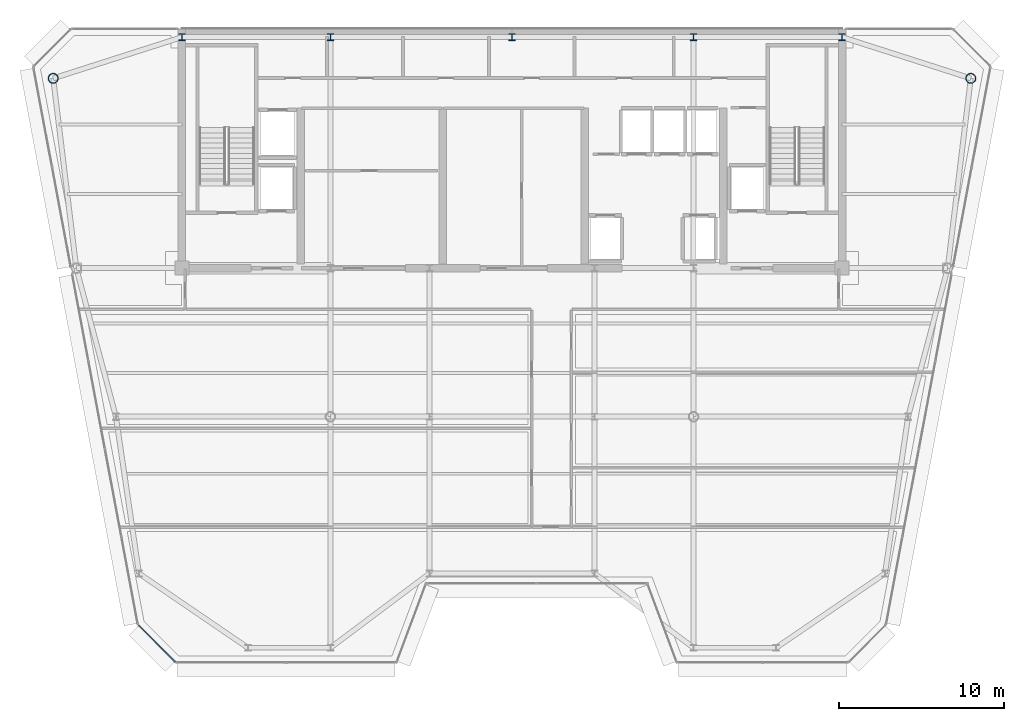
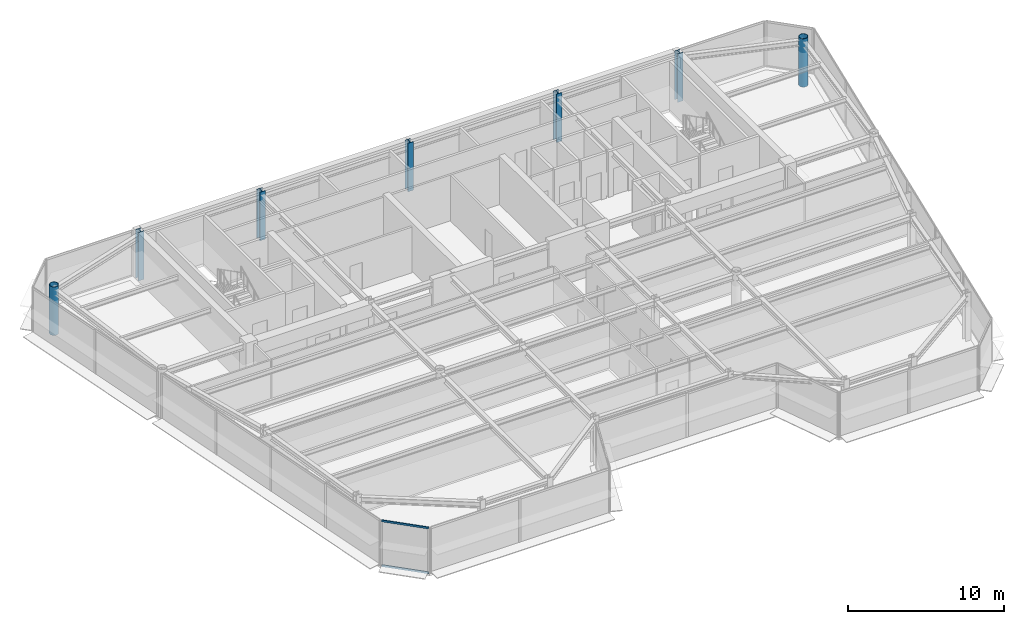
# One storey, part 2 of 20: 7 columns, 2 members, 1 element without a shape of its own.
"""IFC4 building model written with IfcOpenShell, lengths in metres."""

from ifc_helpers import new_model, si_unit, direction, frame, origin, origin_2d, place, context, subcontext, project, spatial, rectangle, hollow_circle, i_section, extrude, source, transform, mapped, material, layer, layer_set, material_profile, profile_set, type_object, element, aggregate, save


model = new_model("IFC4")

# Units and contexts
model_context = context("Model", 3, precision=1e-05, world=origin(), true_north=direction((0.0, 1.0)))
body_context = subcontext(model_context, "Body", "Model", "MODEL_VIEW")
ifc_project = project(units=[si_unit("LENGTHUNIT", "METRE"), si_unit("AREAUNIT", "SQUARE_METRE"), si_unit("VOLUMEUNIT", "CUBIC_METRE"), si_unit("PLANEANGLEUNIT", "RADIAN"), si_unit("MASSUNIT", "GRAM", prefix="KILO")], contexts=[model_context])

# Site, building, storey
site_placement = place(None, origin())
site = spatial("IfcSite", under=ifc_project, at=site_placement, CompositionType="ELEMENT")
building_placement = place(site_placement, origin())
building = spatial("IfcBuilding", under=site, at=building_placement, Name="Vaeldorn Concourse Tower", CompositionType="ELEMENT")
storey_placement = place(building_placement, frame((0.0, 0.0, 280.199951171875)))
storey = spatial("IfcBuildingStorey", under=building, at=storey_placement, Name="L72", CompositionType="ELEMENT", Elevation=280.199951171875)

# Columns
ifc_material_1 = material(Name="Steel S355", Category="steel")
ifc_material_profile_1 = material_profile(ifc_material_1, i_section(OverallWidth=0.406005859375, OverallDepth=0.416015625, WebThickness=0.02978515625, FlangeThickness=0.0419921875, FilletRadius=0.014892578125, at=origin_2d()), Name="HD 400x382")
ifc_profile_set_1 = profile_set([ifc_material_profile_1], Name="Steel S355")
column_type_1 = type_object("IfcColumnType", Name="COL-HD382", PredefinedType="COLUMN", material=ifc_profile_set_1)
shared_shape_1 = source(origin(), body_context, "Body", "SweptSolid", [
    extrude(i_section(OverallWidth=0.406005859375, OverallDepth=0.416015625, WebThickness=0.02978515625, FlangeThickness=0.0419921875, FilletRadius=0.014892578125, at=origin_2d()), origin(), (0.0, 0.0, 1.0), 3.800048828125),
])
for number, where, z_axis, x_axis, name in (
    (1, (14.0, 50.5, 0.0), (0.0, 0.0, 1.0), (1.0, 0.0, 0.0), "Column C-HC1 L72"),
    (2, (23.0, 50.5, 0.0), (0.0, 0.0, 1.0), (1.0, 0.0, 0.0), "Column C-HC2 L72"),
    (3, (34.0, 50.5, 0.0), (0.0, 0.0, 1.0), (1.0, 0.0, 0.0), "Column C-HC3 L72"),
    (4, (45.0, 50.5, 0.0), (0.0, 0.0, 1.0), (1.0, 0.0, 0.0), "Column C-HC4 L72"),
    (5, (54.0, 50.5, 0.0), (0.0, 0.0, 1.0), (1.0, 0.0, 0.0), "Column C-HC5 L72"),
):
    element("IfcColumn", number, at=place(storey_placement, frame(where, z_axis=z_axis, x_axis=x_axis)), inside=storey, type_object=column_type_1, Name=name, PredefinedType="COLUMN", context=body_context, shape_type="MappedRepresentation", body=[
        mapped(shared_shape_1, transform((0.0, 0.0, 0.0), scale=1.0)),
    ])
ifc_material_profile_2 = material_profile(ifc_material_1, hollow_circle(Radius=0.304931640625, WallThickness=0.030029296875, at=origin_2d()), Name="CHS 610x30")
ifc_profile_set_2 = profile_set([ifc_material_profile_2], Name="Steel S355")
column_type_2 = type_object("IfcColumnType", Name="COL-CHS610", PredefinedType="COLUMN", material=ifc_profile_set_2)
shared_shape_2 = source(origin(), body_context, "Body", "SweptSolid", [
    extrude(hollow_circle(Radius=0.304931640625, WallThickness=0.030029296875, at=origin_2d()), origin(), (0.0, 0.0, 1.0), 3.800048828125),
])
for number, where, z_axis, x_axis, name in (
    (6, (6.199951171875, 48.0, 0.0), (0.0, 0.0, 1.0), (1.0, 0.0, 0.0), "Column C-NW1 L72"),
    (7, (61.800048828125, 48.0, 0.0), (0.0, 0.0, 1.0), (1.0, 0.0, 0.0), "Column C-NE1 L72"),
):
    element("IfcColumn", number, at=place(storey_placement, frame(where, z_axis=z_axis, x_axis=x_axis)), inside=storey, type_object=column_type_2, Name=name, PredefinedType="COLUMN", context=body_context, shape_type="MappedRepresentation", body=[
        mapped(shared_shape_2, transform((0.0, 0.0, 0.0), scale=1.0)),
    ])

# Curtain wall, members
ifc_material_2 = material(Name="Anodised Bronze Aluminium", Category="aluminium")
ifc_layer = layer(ifc_material_2, 0.179931640625)
ifc_layer_set = layer_set([ifc_layer], Name="Anodised Bronze Aluminium")
curtain_wall_type = type_object("IfcCurtainWallType", Name="CW-SYS-05", PredefinedType="NOTDEFINED", material=ifc_layer_set)
curtain_wall_placement = place(storey_placement, origin())
curtain_wall = element("IfcCurtainWall", 8, at=curtain_wall_placement, inside=storey, type_object=curtain_wall_type, Name="Unitised Curtain Wall CW-L72-E12-1", PredefinedType="NOTDEFINED")
ifc_material_profile_3 = material_profile(ifc_material_2, rectangle(XDim=0.06494140625, YDim=0.14990234375, at=origin_2d()), Name="CWT 65x150")
ifc_profile_set_3 = profile_set([ifc_material_profile_3], Name="Anodised Bronze Aluminium")
member_type = type_object("IfcMemberType", Name="CWT-BRONZE-150", PredefinedType="USERDEFINED", material=ifc_profile_set_3)
shared_shape_3 = source(origin(), body_context, "Body", "SweptSolid", [
    extrude(rectangle(XDim=0.06494140625, YDim=0.14990234375, at=origin_2d()), origin(), (0.0, 0.0, 1.0), 3.12255859375),
])
member_1_placement = place(storey_placement, frame((11.382080078125, 14.85400390625, 0.032470703125), z_axis=(0.707106781187, -0.707106781187, 0.0), x_axis=(0.707106781187, 0.707106781187, 0.0)))
member_1 = element("IfcMember", 9, at=member_1_placement, type_object=member_type, Name="CW-05 transom 1.1", ObjectType="TRANSOM", PredefinedType="USERDEFINED", context=body_context, shape_type="MappedRepresentation", body=[
    mapped(shared_shape_3, transform((0.0, 0.0, 0.0), scale=1.0)),
])
member_2_placement = place(storey_placement, frame((11.382080078125, 14.85400390625, 3.547607421875), z_axis=(0.707106781187, -0.707106781187, 0.0), x_axis=(0.707106781187, 0.707106781187, 0.0)))
member_2 = element("IfcMember", 10, at=member_2_placement, type_object=member_type, Name="CW-05 transom 1.2", ObjectType="TRANSOM", PredefinedType="USERDEFINED", context=body_context, shape_type="MappedRepresentation", body=[
    mapped(shared_shape_3, transform((0.0, 0.0, 0.0), scale=1.0)),
])
aggregate(curtain_wall, [member_1, member_2])

save(model, "model.ifc")
